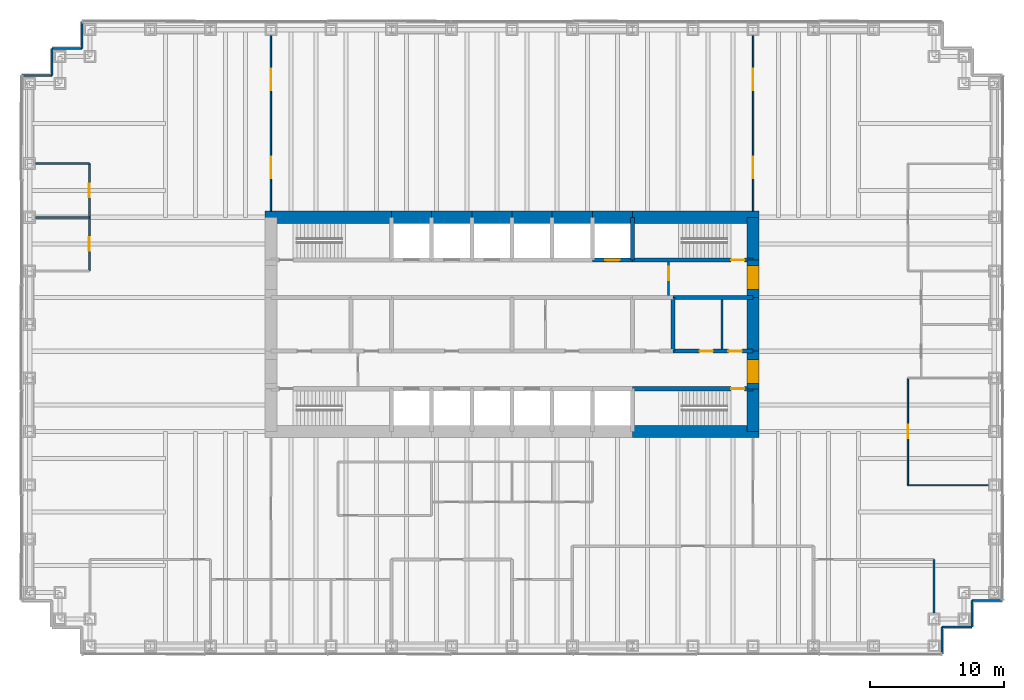
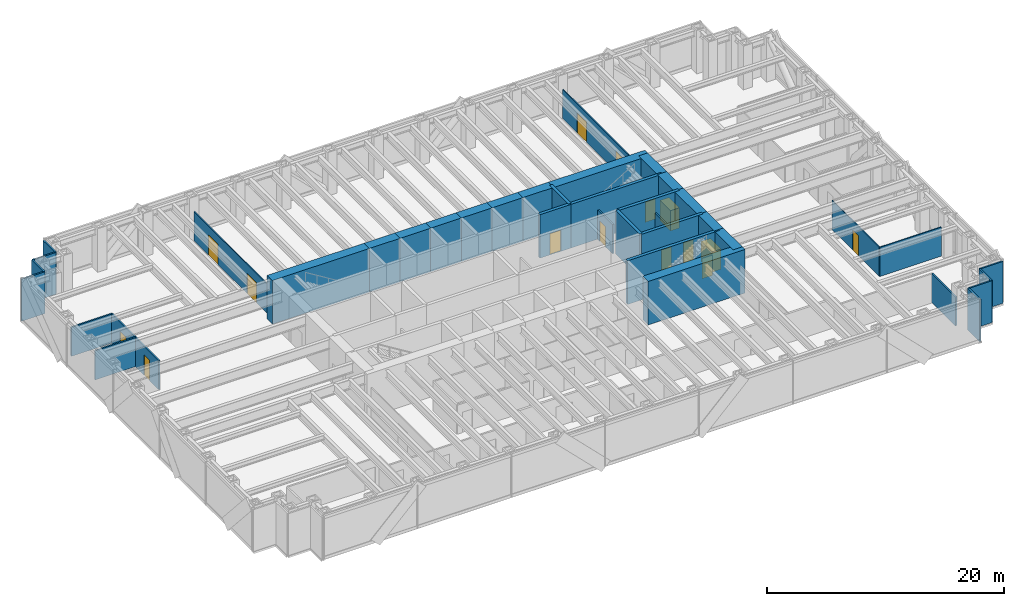
# One storey, part 11 of 13: 39 walls, 15 doors, 15 openings.
"""IFC4 building model written with IfcOpenShell, lengths in metres."""

import ifcopenshell
import ifcopenshell.guid

model = None  # the IFC model being written
_history = None  # IfcOwnerHistory: only IFC2X3 demands one
_inside = {}  # id of a spatial element -> (the spatial element, [elements in it])
_under = {}  # id of a project, library or spatial element -> (it, [spatial elements below it])
_declared = {}  # id of a project -> (the project, [libraries it declares])
_typed = {}  # id of a type object -> (the type object, [elements of that type])
_made_of = {}  # id of a material, layer set ... -> (it, [elements and type objects made of it])


def new_model(schema):
    """Start an empty IFC model of exactly this schema.

    Asked for "IFC4X3", IfcOpenShell would pick the latest addendum, in which some entities
    have other attributes; the version numbers below select the first issue.
    IFC2X3 requires an IfcOwnerHistory on every rooted entity: one is made here for all.
    """
    global model, _history
    if schema == "IFC4X3":
        model = ifcopenshell.file(schema_version=(4, 3, 0, 0))
    else:
        model = ifcopenshell.file(schema=schema)
    _inside.clear()
    _under.clear()
    _declared.clear()
    _typed.clear()
    _made_of.clear()
    _history = None
    if model.schema == "IFC2X3":
        org = make("IfcOrganization", Name="unknown")
        user = make(
            "IfcPersonAndOrganization",
            ThePerson=make("IfcPerson", FamilyName="unknown"),
            TheOrganization=org,
        )
        app = make(
            "IfcApplication",
            ApplicationDeveloper=org,
            Version="unknown",
            ApplicationFullName="unknown",
            ApplicationIdentifier="unknown",
        )
        _history = make(
            "IfcOwnerHistory",
            OwningUser=user,
            OwningApplication=app,
            ChangeAction="ADDED",
            CreationDate=0,
        )
    return model


def make(cls, **values):
    """One entity of the class cls with the attributes given. An attribute that is None is left unset."""
    return model.create_entity(
        cls, **{name: value for name, value in values.items() if value is not None}
    )


def rooted(cls, **values):
    """An entity with a GlobalId (a new one), such as an element, a storey or a relation."""
    return make(cls, GlobalId=ifcopenshell.guid.new(), OwnerHistory=_history, **values)


def si_unit(unit_type, name, prefix=None):
    """IfcSIUnit, for example si_unit("LENGTHUNIT", "METRE", prefix="MILLI")."""
    return make("IfcSIUnit", UnitType=unit_type, Prefix=prefix, Name=name)


def assignment(units):
    """IfcUnitAssignment: the units of a project."""
    return None if units is None else make("IfcUnitAssignment", Units=units)


def point(xyz):
    """IfcCartesianPoint."""
    return None if xyz is None else make("IfcCartesianPoint", Coordinates=xyz)


def direction(xyz):
    """IfcDirection."""
    return None if xyz is None else make("IfcDirection", DirectionRatios=xyz)


def frame(location, z_axis=None, x_axis=None):
    """IfcAxis2Placement3D, a coordinate frame: its origin and axes. An axis left out is left unset."""
    return make(
        "IfcAxis2Placement3D",
        Location=point(location),
        Axis=direction(z_axis),
        RefDirection=direction(x_axis),
    )


def frame_2d(location, x_axis=None):
    """IfcAxis2Placement2D, a coordinate frame in the plane: its origin and x axis."""
    return make(
        "IfcAxis2Placement2D", Location=point(location), RefDirection=direction(x_axis)
    )


def origin():
    """The frame at (0, 0, 0) with its axes left unset."""
    return frame((0.0, 0.0, 0.0))


def place(relative_to, where):
    """IfcLocalPlacement: puts the frame where relative to a parent placement (None: the world)."""
    return make(
        "IfcLocalPlacement", PlacementRelTo=relative_to, RelativePlacement=where
    )


def context(
    kind, dimensions, precision=None, world=None, true_north=None, identifier=None
):
    """IfcGeometricRepresentationContext, for example the 3D "Model" context."""
    return make(
        "IfcGeometricRepresentationContext",
        ContextIdentifier=identifier,
        ContextType=kind,
        CoordinateSpaceDimension=dimensions,
        Precision=precision,
        WorldCoordinateSystem=world,
        TrueNorth=true_north,
    )


def subcontext(parent, identifier, kind, view, scale=None):
    """IfcGeometricRepresentationSubContext, for example "Body" below "Model"."""
    return make(
        "IfcGeometricRepresentationSubContext",
        ContextIdentifier=identifier,
        ContextType=kind,
        ParentContext=parent,
        TargetScale=scale,
        TargetView=view,
    )


def project(units=None, contexts=None):
    """IfcProject with its units and contexts."""
    return rooted(
        "IfcProject",
        Name="project",
        RepresentationContexts=contexts,
        UnitsInContext=assignment(units),
    )


def spatial(cls, under=None, at=None, **own):
    """A site, building, storey or space (cls), placed at a placement, below another one or the project."""
    s = rooted(cls, ObjectPlacement=at, **own)
    if under is not None:
        _under.setdefault(under.id(), (under, []))[1].append(s)
    return s


def profile(cls, at=None, kind="AREA", **sizes):
    """A parametric profile (cls). Its sizes go by their IFC names, for example OverallWidth=200.0."""
    return make(cls, ProfileType=kind, Position=at, **sizes)


def rectangle(**sizes):
    """IfcRectangleProfileDef."""
    return profile("IfcRectangleProfileDef", **sizes)


def extrude(swept, where, along, depth):
    """IfcExtrudedAreaSolid: the profile swept, set in the frame where, extruded along a direction by depth."""
    return make(
        "IfcExtrudedAreaSolid",
        SweptArea=swept,
        Position=where,
        ExtrudedDirection=direction(along),
        Depth=depth,
    )


def shape(context_of_items, identifier, shape_type, items):
    """IfcShapeRepresentation: the items that make up one representation, for example the "Body"."""
    return make(
        "IfcShapeRepresentation",
        ContextOfItems=context_of_items,
        RepresentationIdentifier=identifier,
        RepresentationType=shape_type,
        Items=items,
    )


def material(Name=None, Category=None):
    """IfcMaterial."""
    return make("IfcMaterial", Name=Name, Category=Category)


def layer(
    of_material, thickness, ventilated=None, Name=None, Category=None, Priority=None
):
    """IfcMaterialLayer: one layer of a wall or slab, of a material (None: an air gap)."""
    return make(
        "IfcMaterialLayer",
        Material=of_material,
        LayerThickness=thickness,
        IsVentilated=ventilated,
        Name=Name,
        Category=Category,
        Priority=Priority,
    )


def layer_set(layers, Name=None):
    """IfcMaterialLayerSet."""
    return make("IfcMaterialLayerSet", MaterialLayers=layers, LayerSetName=Name)


def made_of(thing, what):
    """Note that an element or type object is made of a material, layer set ...; save() writes the relation."""
    if what is not None:
        _made_of.setdefault(what.id(), (what, []))[1].append(thing)
    return thing


def type_object(cls, material=None, **own):
    """A type object (cls), such as IfcWallType, which elements share."""
    return made_of(rooted(cls, **own), material)


def element(
    cls,
    number,
    at=None,
    inside=None,
    cuts=None,
    type_object=None,
    material=None,
    context=None,
    identifier="Body",
    shape_type=None,
    held_by="IfcProductDefinitionShape",
    body=None,
    shapes=None,
    **own,
):
    """One element of the class cls, such as IfcWall. Its Tag is "e" and its number.

    at: its placement. inside: the storey or other place that contains it. cuts: it is an
    opening in that element (IfcRelVoidsElement). A single representation is given by context,
    identifier, shape_type and body (its items); several are given by shapes. held_by: the class
    of the entity that holds the representations. save() writes the other relations.
    """
    e = rooted(cls, Tag="e%d" % number, ObjectPlacement=at, **own)
    if body is not None:
        shapes = [shape(context, identifier, shape_type, body)]
    if shapes is not None:
        e.Representation = make(held_by, Representations=shapes)
    if inside is not None:
        _inside.setdefault(inside.id(), (inside, []))[1].append(e)
    if cuts is not None:
        rooted(
            "IfcRelVoidsElement", RelatingBuildingElement=cuts, RelatedOpeningElement=e
        )
    if type_object is not None:
        _typed.setdefault(type_object.id(), (type_object, []))[1].append(e)
    return made_of(e, material)


def fill(opening, filler):
    """IfcRelFillsElement: the door or window that sits in an opening."""
    return rooted(
        "IfcRelFillsElement",
        RelatingOpeningElement=opening,
        RelatedBuildingElement=filler,
    )


def aggregate(whole, parts):
    """IfcRelAggregates: a whole, such as a stair, and the parts it consists of."""
    return rooted("IfcRelAggregates", RelatingObject=whole, RelatedObjects=parts)


def save(model, path):
    """Write the relations noted so far, then the file.

    IfcRelAggregates (storeys below a building ...), IfcRelContainedInSpatialStructure (elements
    in a storey), IfcRelDefinesByType, IfcRelAssociatesMaterial and IfcRelDeclares: one each for
    every whole, place, type object, material and project.
    """
    for whole, parts in _under.values():
        aggregate(whole, parts)
    for where, things in _inside.values():
        rooted(
            "IfcRelContainedInSpatialStructure",
            RelatedElements=things,
            RelatingStructure=where,
        )
    for kind, things in _typed.values():
        rooted("IfcRelDefinesByType", RelatedObjects=things, RelatingType=kind)
    for what, things in _made_of.values():
        rooted("IfcRelAssociatesMaterial", RelatedObjects=things, RelatingMaterial=what)
    for by, libraries in _declared.values():
        rooted("IfcRelDeclares", RelatingContext=by, RelatedDefinitions=libraries)
    model.write(path)


model = new_model("IFC4")

# Units and contexts
model_context = context("Model", 3, precision=1e-05, world=origin(), true_north=direction((0.0, 1.0)))
body_context = subcontext(model_context, "Body", "Model", "MODEL_VIEW")
ifc_project = project(units=[si_unit("LENGTHUNIT", "METRE"), si_unit("AREAUNIT", "SQUARE_METRE"), si_unit("VOLUMEUNIT", "CUBIC_METRE"), si_unit("PLANEANGLEUNIT", "RADIAN"), si_unit("MASSUNIT", "GRAM", prefix="KILO")], contexts=[model_context])

# Site, building, storey
site_placement = place(None, origin())
site = spatial("IfcSite", under=ifc_project, at=site_placement, CompositionType="ELEMENT")
building_placement = place(site_placement, origin())
building = spatial("IfcBuilding", under=site, at=building_placement, Name="Rheinbord Bourse Tower", CompositionType="ELEMENT")
storey_placement = place(building_placement, frame((0.0, 0.0, 36.5)))
storey = spatial("IfcBuildingStorey", under=building, at=storey_placement, Name="L07", CompositionType="ELEMENT", Elevation=36.5)

# Wall, opening, door
ifc_material_1 = material(Name="Concrete C50/60", Category="concrete")
ifc_layer_1 = layer(ifc_material_1, 0.300048828125)
ifc_layer_set_1 = layer_set([ifc_layer_1], Name="CORE INNER WALL 300")
wall_type_1 = type_object("IfcWallType", Name="CORE INNER WALL 300", PredefinedType="SOLIDWALL", material=ifc_layer_set_1)
wall_1_placement = place(storey_placement, frame((45.0, 19.199951171875, 0.0), z_axis=(0.0, 0.0, 1.0), x_axis=(1.0, 0.0, 0.0)))
wall_1 = element("IfcWall", 1, at=wall_1_placement, inside=storey, type_object=wall_type_1, Name="Core wall A8 L07", PredefinedType="SOLIDWALL", context=body_context, shape_type="SweptSolid", body=[
    extrude(rectangle(XDim=9.0, YDim=0.300048828125, at=frame_2d((4.5, 0.0))), origin(), (0.0, 0.0, 1.0), 4.5),
])
opening_1_placement = place(wall_1_placement, frame((7.35009765625, 0.0, 0.0)))
opening_1 = element("IfcOpeningElement", 2, at=opening_1_placement, cuts=wall_1, Name="Opening 0730", PredefinedType="OPENING", context=body_context, shape_type="SweptSolid", body=[
    extrude(rectangle(XDim=1.0, YDim=2.10009765625, at=frame_2d((0.5, 1.050048828125))), frame((0.0, 0.159912109375, 0.0), z_axis=(0.0, -1.0, 0.0), x_axis=(1.0, 0.0, 0.0)), (0.0, 0.0, 1.0), 0.320068359375),
])
ifc_material_2 = material(Name="Steel door", Category="steel")
door_type_1 = type_object("IfcDoorType", Name="DOOR 1000 EI30", OperationType="SINGLE_SWING_LEFT", PredefinedType="DOOR", material=ifc_material_2)
door_1_placement = place(opening_1_placement, origin())
door_1 = element("IfcDoor", 3, at=door_1_placement, inside=storey, type_object=door_type_1, Name="Stair door ST3 L07", OperationType="SINGLE_SWING_RIGHT", OverallHeight=2.10009765625, OverallWidth=1.0, PredefinedType="DOOR", context=body_context, shape_type="SweptSolid", body=[
    extrude(rectangle(XDim=1.0, YDim=2.10009765625, at=frame_2d((0.5, 1.050048828125))), frame((0.0, 0.02490234375, 0.0), z_axis=(0.0, -1.0, 0.0), x_axis=(1.0, 0.0, 0.0)), (0.0, 0.0, 1.0), 0.050048828125),
])
fill(opening_1, door_1)

wall_2_placement = place(storey_placement, frame((42.0, 28.800048828125, 0.0), z_axis=(0.0, 0.0, 1.0), x_axis=(1.0, 0.0, 0.0)))
wall_2 = element("IfcWall", 4, at=wall_2_placement, inside=storey, type_object=wall_type_1, Name="Core wall B7 L07", PredefinedType="SOLIDWALL", context=body_context, shape_type="SweptSolid", body=[
    extrude(rectangle(XDim=3.0, YDim=0.300048828125, at=frame_2d((1.5, 0.0))), origin(), (0.0, 0.0, 1.0), 4.5),
])
opening_2_placement = place(wall_2_placement, frame((0.949951171875, 0.0, 0.0)))
opening_2 = element("IfcOpeningElement", 5, at=opening_2_placement, cuts=wall_2, Name="Opening FL2", PredefinedType="OPENING", context=body_context, shape_type="SweptSolid", body=[
    extrude(rectangle(XDim=1.10009765625, YDim=2.199951171875, at=frame_2d((0.550048828125, 1.10009765625))), frame((0.0, 0.159912109375, 0.0), z_axis=(0.0, -1.0, 0.0), x_axis=(1.0, 0.0, 0.0)), (0.0, 0.0, 1.0), 0.320068359375),
])
ifc_material_3 = material(Name="Steel landing door", Category="steel")
door_type_2 = type_object("IfcDoorType", Name="LIFT LANDING DOOR 1100", OperationType="DOUBLE_DOOR_SLIDING", PredefinedType="USERDEFINED", material=ifc_material_3)
door_2_placement = place(opening_2_placement, origin())
door_2 = element("IfcDoor", 6, at=door_2_placement, inside=storey, type_object=door_type_2, Name="Lift landing door FL2 L07", ObjectType="LIFT LANDING DOOR", OperationType="DOUBLE_DOOR_SLIDING", OverallHeight=2.199951171875, OverallWidth=1.10009765625, PredefinedType="USERDEFINED", context=body_context, shape_type="SweptSolid", body=[
    extrude(rectangle(XDim=1.10009765625, YDim=2.199951171875, at=frame_2d((0.550048828125, 1.10009765625))), frame((0.0, 0.02490234375, 0.0), z_axis=(0.0, -1.0, 0.0), x_axis=(1.0, 0.0, 0.0)), (0.0, 0.0, 1.0), 0.050048828125),
])
fill(opening_2, door_2)

wall_3_placement = place(storey_placement, frame((45.0, 28.800048828125, 0.0), z_axis=(0.0, 0.0, 1.0), x_axis=(1.0, 0.0, 0.0)))
wall_3 = element("IfcWall", 7, at=wall_3_placement, inside=storey, type_object=wall_type_1, Name="Core wall B8 L07", PredefinedType="SOLIDWALL", context=body_context, shape_type="SweptSolid", body=[
    extrude(rectangle(XDim=9.0, YDim=0.300048828125, at=frame_2d((4.5, 0.0))), origin(), (0.0, 0.0, 1.0), 4.5),
])
opening_3_placement = place(wall_3_placement, frame((7.35009765625, 0.0, 0.0)))
opening_3 = element("IfcOpeningElement", 8, at=opening_3_placement, cuts=wall_3, Name="Opening 0740", PredefinedType="OPENING", context=body_context, shape_type="SweptSolid", body=[
    extrude(rectangle(XDim=1.0, YDim=2.10009765625, at=frame_2d((0.5, 1.050048828125))), frame((0.0, 0.159912109375, 0.0), z_axis=(0.0, -1.0, 0.0), x_axis=(1.0, 0.0, 0.0)), (0.0, 0.0, 1.0), 0.320068359375),
])
door_3_placement = place(opening_3_placement, origin())
door_3 = element("IfcDoor", 9, at=door_3_placement, inside=storey, type_object=door_type_1, Name="Stair door ST4 L07", OperationType="SINGLE_SWING_RIGHT", OverallHeight=2.10009765625, OverallWidth=1.0, PredefinedType="DOOR", context=body_context, shape_type="SweptSolid", body=[
    extrude(rectangle(XDim=1.0, YDim=2.10009765625, at=frame_2d((0.5, 1.050048828125))), frame((0.0, 0.02490234375, 0.0), z_axis=(0.0, -1.0, 0.0), x_axis=(1.0, 0.0, 0.0)), (0.0, 0.0, 1.0), 0.050048828125),
])
fill(opening_3, door_3)

# Wall, openings, doors
wall_4_placement = place(storey_placement, frame((48.0, 22.0, 0.0), z_axis=(0.0, 0.0, 1.0), x_axis=(1.0, 0.0, 0.0)))
wall_4 = element("IfcWall", 10, at=wall_4_placement, inside=storey, type_object=wall_type_1, Name="Core wall C6 L07", PredefinedType="SOLIDWALL", context=body_context, shape_type="SweptSolid", body=[
    extrude(rectangle(XDim=6.0, YDim=0.300048828125, at=frame_2d((3.0, 0.0))), origin(), (0.0, 0.0, 1.0), 4.5),
])
opening_4_placement = place(wall_4_placement, frame((2.0, 0.0, 0.0)))
opening_4 = element("IfcOpeningElement", 11, at=opening_4_placement, cuts=wall_4, Name="Opening 07R6", PredefinedType="OPENING", context=body_context, shape_type="SweptSolid", body=[
    extrude(rectangle(XDim=1.0, YDim=2.10009765625, at=frame_2d((0.5, 1.050048828125))), frame((0.0, 0.159912109375, 0.0), z_axis=(0.0, -1.0, 0.0), x_axis=(1.0, 0.0, 0.0)), (0.0, 0.0, 1.0), 0.320068359375),
])
opening_5_placement = place(wall_4_placement, frame((4.14990234375, 0.0, 0.0)))
opening_5 = element("IfcOpeningElement", 12, at=opening_5_placement, cuts=wall_4, Name="Opening 07R10", PredefinedType="OPENING", context=body_context, shape_type="SweptSolid", body=[
    extrude(rectangle(XDim=1.0, YDim=2.10009765625, at=frame_2d((0.5, 1.050048828125))), frame((0.0, 0.159912109375, 0.0), z_axis=(0.0, -1.0, 0.0), x_axis=(1.0, 0.0, 0.0)), (0.0, 0.0, 1.0), 0.320068359375),
])
door_4_placement = place(opening_5_placement, origin())
door_4 = element("IfcDoor", 13, at=door_4_placement, inside=storey, type_object=door_type_1, Name="Cleaner's store door L07", OperationType="SINGLE_SWING_RIGHT", OverallHeight=2.10009765625, OverallWidth=1.0, PredefinedType="DOOR", context=body_context, shape_type="SweptSolid", body=[
    extrude(rectangle(XDim=1.0, YDim=2.10009765625, at=frame_2d((0.5, 1.050048828125))), frame((0.0, 0.02490234375, 0.0), z_axis=(0.0, -1.0, 0.0), x_axis=(1.0, 0.0, 0.0)), (0.0, 0.0, 1.0), 0.050048828125),
])
fill(opening_5, door_4)
ifc_material_4 = material(Name="Timber door", Category="wood")
door_type_3 = type_object("IfcDoorType", Name="DOOR 1000 WC", OperationType="SINGLE_SWING_LEFT", PredefinedType="DOOR", material=ifc_material_4)
door_5_placement = place(opening_4_placement, origin())
door_5 = element("IfcDoor", 14, at=door_5_placement, inside=storey, type_object=door_type_3, Name="WC women door L07", OperationType="SINGLE_SWING_LEFT", OverallHeight=2.10009765625, OverallWidth=1.0, PredefinedType="DOOR", context=body_context, shape_type="SweptSolid", body=[
    extrude(rectangle(XDim=1.0, YDim=2.10009765625, at=frame_2d((0.5, 1.050048828125))), frame((0.0, 0.02490234375, 0.0), z_axis=(0.0, -1.0, 0.0), x_axis=(1.0, 0.0, 0.0)), (0.0, 0.0, 1.0), 0.050048828125),
])
fill(opening_4, door_5)

# Walls
wall_5_placement = place(storey_placement, frame((48.0, 26.0, 0.0), z_axis=(0.0, 0.0, 1.0), x_axis=(1.0, 0.0, 0.0)))
element("IfcWall", 15, at=wall_5_placement, inside=storey, type_object=wall_type_1, Name="Core wall D6 L07", PredefinedType="SOLIDWALL", context=body_context, shape_type="SweptSolid", body=[
    extrude(rectangle(XDim=6.0, YDim=0.300048828125, at=frame_2d((3.0, 0.0))), origin(), (0.0, 0.0, 1.0), 4.5),
])
wall_6_placement = place(storey_placement, frame((45.0, 28.800048828125, 0.0), z_axis=(0.0, 0.0, 1.0), x_axis=(0.0, 1.0, 0.0)))
element("IfcWall", 16, at=wall_6_placement, inside=storey, type_object=wall_type_1, Name="Core wall NX45 L07", PredefinedType="SOLIDWALL", context=body_context, shape_type="SweptSolid", body=[
    extrude(rectangle(XDim=3.199951171875, YDim=0.300048828125, at=frame_2d((1.60009765625, 0.0))), origin(), (0.0, 0.0, 1.0), 4.5),
])
wall_7_placement = place(storey_placement, frame((48.0, 22.0, 0.0), z_axis=(0.0, 0.0, 1.0), x_axis=(0.0, 1.0, 0.0)))
element("IfcWall", 17, at=wall_7_placement, inside=storey, type_object=wall_type_1, Name="Core wall MX48 L07", PredefinedType="SOLIDWALL", context=body_context, shape_type="SweptSolid", body=[
    extrude(rectangle(XDim=4.0, YDim=0.300048828125, at=frame_2d((2.0, 0.0))), origin(), (0.0, 0.0, 1.0), 4.5),
])
ifc_material_5 = material(Name="Gypsum board fire partition", Category="gypsum board")
ifc_layer_2 = layer(ifc_material_5, 0.14990234375)
ifc_layer_set_2 = layer_set([ifc_layer_2], Name="CORE PARTITION 150 EI30")
wall_type_2 = type_object("IfcWallType", Name="CORE PARTITION 150 EI30", PredefinedType="PARTITIONING", material=ifc_layer_set_2)
wall_8_placement = place(storey_placement, frame((51.675048828125, 22.14990234375, 0.0), z_axis=(0.0, 0.0, 1.0), x_axis=(0.0, 1.0, 0.0)))
element("IfcWall", 18, at=wall_8_placement, inside=storey, type_object=wall_type_2, Name="Core partition L07-3", PredefinedType="PARTITIONING", context=body_context, shape_type="SweptSolid", body=[
    extrude(rectangle(XDim=3.7001953125, YDim=0.14990234375, at=frame_2d((1.85009765625, 0.0))), origin(), (0.0, 0.0, 1.0), 3.0),
])

# Wall, opening, door
wall_9_placement = place(storey_placement, frame((47.699951171875, 26.14990234375, 0.0), z_axis=(0.0, 0.0, 1.0), x_axis=(0.0, 1.0, 0.0)))
wall_9 = element("IfcWall", 19, at=wall_9_placement, inside=storey, type_object=wall_type_2, Name="Core partition L07-5", PredefinedType="PARTITIONING", context=body_context, shape_type="SweptSolid", body=[
    extrude(rectangle(XDim=2.5, YDim=0.14990234375, at=frame_2d((1.25, 0.0))), origin(), (0.0, 0.0, 1.0), 3.0),
])
opening_6_placement = place(wall_9_placement, frame((1.14990234375, 0.0, 0.0)))
opening_6 = element("IfcOpeningElement", 20, at=opening_6_placement, cuts=wall_9, Name="Opening 07L6", PredefinedType="OPENING", context=body_context, shape_type="SweptSolid", body=[
    extrude(rectangle(XDim=1.0, YDim=2.10009765625, at=frame_2d((0.5, 1.050048828125))), frame((0.0, 0.0849609375, 0.0), z_axis=(0.0, -1.0, 0.0), x_axis=(1.0, 0.0, 0.0)), (0.0, 0.0, 1.0), 0.169921875),
])
door_6_placement = place(opening_6_placement, origin())
door_6 = element("IfcDoor", 21, at=door_6_placement, inside=storey, type_object=door_type_1, Name="Stair lobby door L07", OperationType="SINGLE_SWING_RIGHT", OverallHeight=2.10009765625, OverallWidth=1.0, PredefinedType="DOOR", context=body_context, shape_type="SweptSolid", body=[
    extrude(rectangle(XDim=1.0, YDim=2.10009765625, at=frame_2d((0.5, 1.050048828125))), frame((0.0, 0.02490234375, 0.0), z_axis=(0.0, -1.0, 0.0), x_axis=(1.0, 0.0, 0.0)), (0.0, 0.0, 1.0), 0.050048828125),
])
fill(opening_6, door_6)

# Walls
ifc_material_6 = material(Name="Concrete C50/60", Category="concrete")
ifc_layer_3 = layer(ifc_material_6, 0.89990234375)
ifc_layer_set_3 = layer_set([ifc_layer_3], Name="CORE WALL 900")
wall_type_3 = type_object("IfcWallType", Name="CORE WALL 900", PredefinedType="SHEAR", material=ifc_layer_set_3)
for number, where, z_axis, x_axis, name in (
    (22, (45.0, 16.0, 0.0), (0.0, 0.0, 1.0), (1.0, 0.0, 0.0), "Core wall S8 L07"),
    (23, (54.449951171875, 32.0, 0.0), (0.0, 0.0, 1.0), (-1.0, 0.0, 0.0), "Core wall N1 L07"),
):
    element("IfcWall", number, at=place(storey_placement, frame(where, z_axis=z_axis, x_axis=x_axis)), inside=storey, type_object=wall_type_3, Name=name, PredefinedType="SHEAR", context=body_context, shape_type="SweptSolid", body=[
        extrude(rectangle(XDim=9.449951171875, YDim=0.89990234375, at=frame_2d((4.72509765625, 0.0))), origin(), (0.0, 0.0, 1.0), 4.5),
    ])
for number, where, z_axis, x_axis, name in (
    (24, (45.0, 32.0, 0.0), (0.0, 0.0, 1.0), (-1.0, 0.0, 0.0), "Core wall N2 L07"),
    (25, (42.0, 32.0, 0.0), (0.0, 0.0, 1.0), (-1.0, 0.0, 0.0), "Core wall N3 L07"),
    (26, (39.0, 32.0, 0.0), (0.0, 0.0, 1.0), (-1.0, 0.0, 0.0), "Core wall N4 L07"),
    (27, (36.0, 32.0, 0.0), (0.0, 0.0, 1.0), (-1.0, 0.0, 0.0), "Core wall N5 L07"),
    (28, (33.0, 32.0, 0.0), (0.0, 0.0, 1.0), (-1.0, 0.0, 0.0), "Core wall N6 L07"),
    (29, (30.0, 32.0, 0.0), (0.0, 0.0, 1.0), (-1.0, 0.0, 0.0), "Core wall N7 L07"),
):
    element("IfcWall", number, at=place(storey_placement, frame(where, z_axis=z_axis, x_axis=x_axis)), inside=storey, type_object=wall_type_3, Name=name, PredefinedType="SHEAR", context=body_context, shape_type="SweptSolid", body=[
        extrude(rectangle(XDim=3.0, YDim=0.89990234375, at=frame_2d((1.5, 0.0))), origin(), (0.0, 0.0, 1.0), 4.5),
    ])
wall_10_placement = place(storey_placement, frame((27.0, 32.0, 0.0), z_axis=(0.0, 0.0, 1.0), x_axis=(-1.0, 0.0, 0.0)))
element("IfcWall", 30, at=wall_10_placement, inside=storey, type_object=wall_type_3, Name="Core wall N8 L07", PredefinedType="SHEAR", context=body_context, shape_type="SweptSolid", body=[
    extrude(rectangle(XDim=9.449951171875, YDim=0.89990234375, at=frame_2d((4.72509765625, 0.0))), origin(), (0.0, 0.0, 1.0), 4.5),
])
wall_11_placement = place(storey_placement, frame((54.0, 16.0, 0.0), z_axis=(0.0, 0.0, 1.0), x_axis=(0.0, 1.0, 0.0)))
element("IfcWall", 31, at=wall_11_placement, inside=storey, type_object=wall_type_3, Name="Core wall E1 L07", PredefinedType="SHEAR", context=body_context, shape_type="SweptSolid", body=[
    extrude(rectangle(XDim=3.199951171875, YDim=0.89990234375, at=frame_2d((1.60009765625, 0.0))), origin(), (0.0, 0.0, 1.0), 4.5),
])

# Wall, opening, door
wall_12_placement = place(storey_placement, frame((54.0, 19.199951171875, 0.0), z_axis=(0.0, 0.0, 1.0), x_axis=(0.0, 1.0, 0.0)))
wall_12 = element("IfcWall", 32, at=wall_12_placement, inside=storey, type_object=wall_type_3, Name="Core wall E2 L07", PredefinedType="SHEAR", context=body_context, shape_type="SweptSolid", body=[
    extrude(rectangle(XDim=2.800048828125, YDim=0.89990234375, at=frame_2d((1.39990234375, 0.0))), origin(), (0.0, 0.0, 1.0), 4.5),
])
opening_7_placement = place(wall_12_placement, frame((0.39990234375, 0.0, 0.0)))
opening_7 = element("IfcOpeningElement", 33, at=opening_7_placement, cuts=wall_12, Name="Opening 07L3", PredefinedType="OPENING", context=body_context, shape_type="SweptSolid", body=[
    extrude(rectangle(XDim=1.800048828125, YDim=2.10009765625, at=frame_2d((0.89990234375, 1.050048828125))), frame((0.0, 0.4599609375, 0.0), z_axis=(0.0, -1.0, 0.0), x_axis=(1.0, 0.0, 0.0)), (0.0, 0.0, 1.0), 0.919921875),
])
ifc_material_7 = material(Name="Steel door", Category="steel")
door_type_4 = type_object("IfcDoorType", Name="DOOR 1800 EI30 DOUBLE", OperationType="DOUBLE_DOOR_DOUBLE_SWING", PredefinedType="DOOR", material=ifc_material_7)
door_7_placement = place(opening_7_placement, origin())
door_7 = element("IfcDoor", 34, at=door_7_placement, inside=storey, type_object=door_type_4, Name="Lobby door 3 L07", OperationType="SINGLE_SWING_LEFT", OverallHeight=2.10009765625, OverallWidth=1.800048828125, PredefinedType="DOOR", context=body_context, shape_type="SweptSolid", body=[
    extrude(rectangle(XDim=1.800048828125, YDim=2.10009765625, at=frame_2d((0.89990234375, 1.050048828125))), frame((0.0, 0.44970703125, 0.0), z_axis=(0.0, -1.0, 0.0), x_axis=(1.0, 0.0, 0.0)), (0.0, 0.0, 1.0), 0.8994140625),
])
fill(opening_7, door_7)

# Wall
wall_13_placement = place(storey_placement, frame((54.0, 22.0, 0.0), z_axis=(0.0, 0.0, 1.0), x_axis=(0.0, 1.0, 0.0)))
element("IfcWall", 35, at=wall_13_placement, inside=storey, type_object=wall_type_3, Name="Core wall E3 L07", PredefinedType="SHEAR", context=body_context, shape_type="SweptSolid", body=[
    extrude(rectangle(XDim=4.0, YDim=0.89990234375, at=frame_2d((2.0, 0.0))), origin(), (0.0, 0.0, 1.0), 4.5),
])

# Wall, opening, door
wall_14_placement = place(storey_placement, frame((54.0, 26.0, 0.0), z_axis=(0.0, 0.0, 1.0), x_axis=(0.0, 1.0, 0.0)))
wall_14 = element("IfcWall", 36, at=wall_14_placement, inside=storey, type_object=wall_type_3, Name="Core wall E4 L07", PredefinedType="SHEAR", context=body_context, shape_type="SweptSolid", body=[
    extrude(rectangle(XDim=2.800048828125, YDim=0.89990234375, at=frame_2d((1.39990234375, 0.0))), origin(), (0.0, 0.0, 1.0), 4.5),
])
opening_8_placement = place(wall_14_placement, frame((0.60009765625, 0.0, 0.0)))
opening_8 = element("IfcOpeningElement", 37, at=opening_8_placement, cuts=wall_14, Name="Opening 07L4", PredefinedType="OPENING", context=body_context, shape_type="SweptSolid", body=[
    extrude(rectangle(XDim=1.800048828125, YDim=2.10009765625, at=frame_2d((0.89990234375, 1.050048828125))), frame((0.0, 0.4599609375, 0.0), z_axis=(0.0, -1.0, 0.0), x_axis=(1.0, 0.0, 0.0)), (0.0, 0.0, 1.0), 0.919921875),
])
door_8_placement = place(opening_8_placement, origin())
door_8 = element("IfcDoor", 38, at=door_8_placement, inside=storey, type_object=door_type_4, Name="Lobby door 4 L07", OperationType="SINGLE_SWING_LEFT", OverallHeight=2.10009765625, OverallWidth=1.800048828125, PredefinedType="DOOR", context=body_context, shape_type="SweptSolid", body=[
    extrude(rectangle(XDim=1.800048828125, YDim=2.10009765625, at=frame_2d((0.89990234375, 1.050048828125))), frame((0.0, 0.44970703125, 0.0), z_axis=(0.0, -1.0, 0.0), x_axis=(1.0, 0.0, 0.0)), (0.0, 0.0, 1.0), 0.8994140625),
])
fill(opening_8, door_8)

# Walls
wall_15_placement = place(storey_placement, frame((54.0, 28.800048828125, 0.0), z_axis=(0.0, 0.0, 1.0), x_axis=(0.0, 1.0, 0.0)))
element("IfcWall", 39, at=wall_15_placement, inside=storey, type_object=wall_type_3, Name="Core wall E5 L07", PredefinedType="SHEAR", context=body_context, shape_type="SweptSolid", body=[
    extrude(rectangle(XDim=3.199951171875, YDim=0.89990234375, at=frame_2d((1.60009765625, 0.0))), origin(), (0.0, 0.0, 1.0), 4.5),
])
ifc_material_8 = material(Name="Black metal rainscreen panel", Category="aluminium")
ifc_layer_4 = layer(ifc_material_8, 0.14990234375)
ifc_layer_set_4 = layer_set([ifc_layer_4], Name="CORNER PIER CLADDING 150")
wall_type_4 = type_object("IfcWallType", Name="CORNER PIER CLADDING 150", PredefinedType="ELEMENTEDWALL", material=ifc_layer_set_4)
wall_16_placement = place(storey_placement, frame((68.10009765625, -0.60009765625, 0.0), z_axis=(0.0, 0.0, 1.0), x_axis=(0.0, 1.0, 0.0)))
element("IfcWall", 40, at=wall_16_placement, inside=storey, type_object=wall_type_4, Name="Corner pier cladding L07 2", PredefinedType="ELEMENTEDWALL", context=body_context, shape_type="SweptSolid", body=[
    extrude(rectangle(XDim=2.0, YDim=0.14990234375, at=frame_2d((1.0, 0.0))), origin(), (0.0, 0.0, 1.0), 4.320068359375),
])
wall_17_placement = place(storey_placement, frame((68.10009765625, 1.39990234375, 0.0), z_axis=(0.0, 0.0, 1.0), x_axis=(1.0, 0.0, 0.0)))
element("IfcWall", 41, at=wall_17_placement, inside=storey, type_object=wall_type_4, Name="Corner pier cladding L07 3", PredefinedType="ELEMENTEDWALL", context=body_context, shape_type="SweptSolid", body=[
    extrude(rectangle(XDim=2.25, YDim=0.14990234375, at=frame_2d((1.125, 0.0))), origin(), (0.0, 0.0, 1.0), 4.320068359375),
])
wall_18_placement = place(storey_placement, frame((70.35009765625, 1.39990234375, 0.0), z_axis=(0.0, 0.0, 1.0), x_axis=(0.0, 1.0, 0.0)))
element("IfcWall", 42, at=wall_18_placement, inside=storey, type_object=wall_type_4, Name="Corner pier cladding L07 4", PredefinedType="ELEMENTEDWALL", context=body_context, shape_type="SweptSolid", body=[
    extrude(rectangle(XDim=2.0, YDim=0.14990234375, at=frame_2d((1.0, 0.0))), origin(), (0.0, 0.0, 1.0), 4.320068359375),
])
wall_19_placement = place(storey_placement, frame((70.35009765625, 3.39990234375, 0.0), z_axis=(0.0, 0.0, 1.0), x_axis=(1.0, 0.0, 0.0)))
element("IfcWall", 43, at=wall_19_placement, inside=storey, type_object=wall_type_4, Name="Corner pier cladding L07 5", PredefinedType="ELEMENTEDWALL", context=body_context, shape_type="SweptSolid", body=[
    extrude(rectangle(XDim=2.25, YDim=0.14990234375, at=frame_2d((1.125, 0.0))), origin(), (0.0, 0.0, 1.0), 4.320068359375),
])
wall_20_placement = place(storey_placement, frame((3.89990234375, 46.60009765625, 0.0), z_axis=(0.0, 0.0, 1.0), x_axis=(0.0, -1.0, 0.0)))
element("IfcWall", 44, at=wall_20_placement, inside=storey, type_object=wall_type_4, Name="Corner pier cladding L07 12", PredefinedType="ELEMENTEDWALL", context=body_context, shape_type="SweptSolid", body=[
    extrude(rectangle(XDim=2.0, YDim=0.14990234375, at=frame_2d((1.0, 0.0))), origin(), (0.0, 0.0, 1.0), 4.320068359375),
])
wall_21_placement = place(storey_placement, frame((3.89990234375, 44.60009765625, 0.0), z_axis=(0.0, 0.0, 1.0), x_axis=(-1.0, 0.0, 0.0)))
element("IfcWall", 45, at=wall_21_placement, inside=storey, type_object=wall_type_4, Name="Corner pier cladding L07 13", PredefinedType="ELEMENTEDWALL", context=body_context, shape_type="SweptSolid", body=[
    extrude(rectangle(XDim=2.25, YDim=0.14990234375, at=frame_2d((1.125, 0.0))), origin(), (0.0, 0.0, 1.0), 4.320068359375),
])
wall_22_placement = place(storey_placement, frame((1.64990234375, 44.60009765625, 0.0), z_axis=(0.0, 0.0, 1.0), x_axis=(0.0, -1.0, 0.0)))
element("IfcWall", 46, at=wall_22_placement, inside=storey, type_object=wall_type_4, Name="Corner pier cladding L07 14", PredefinedType="ELEMENTEDWALL", context=body_context, shape_type="SweptSolid", body=[
    extrude(rectangle(XDim=2.0, YDim=0.14990234375, at=frame_2d((1.0, 0.0))), origin(), (0.0, 0.0, 1.0), 4.320068359375),
])
wall_23_placement = place(storey_placement, frame((1.64990234375, 42.60009765625, 0.0), z_axis=(0.0, 0.0, 1.0), x_axis=(-1.0, 0.0, 0.0)))
element("IfcWall", 47, at=wall_23_placement, inside=storey, type_object=wall_type_4, Name="Corner pier cladding L07 15", PredefinedType="ELEMENTEDWALL", context=body_context, shape_type="SweptSolid", body=[
    extrude(rectangle(XDim=2.25, YDim=0.14990234375, at=frame_2d((1.125, 0.0))), origin(), (0.0, 0.0, 1.0), 4.320068359375),
])
ifc_material_9 = material(Name="Toughened laminated glass partition", Category="glass")
ifc_layer_5 = layer(ifc_material_9, 0.10009765625)
ifc_layer_set_5 = layer_set([ifc_layer_5], Name="GLAZED PARTITION 100")
wall_type_5 = type_object("IfcWallType", Name="GLAZED PARTITION 100", PredefinedType="PARTITIONING", material=ifc_layer_set_5)
wall_24_placement = place(storey_placement, frame((65.550048828125, 12.0, 0.0), z_axis=(0.0, 0.0, 1.0), x_axis=(1.0, 0.0, 0.0)))
element("IfcWall", 48, at=wall_24_placement, inside=storey, type_object=wall_type_5, Name="Partition L07-09", PredefinedType="PARTITIONING", context=body_context, shape_type="SweptSolid", body=[
    extrude(rectangle(XDim=6.0, YDim=0.10009765625, at=frame_2d((3.0, 0.0))), origin(), (0.0, 0.0, 1.0), 3.0),
])

# Wall, openings, doors
wall_25_placement = place(storey_placement, frame((18.0, 32.449951171875, 0.0), z_axis=(0.0, 0.0, 1.0), x_axis=(0.0, 1.0, 0.0)))
wall_25 = element("IfcWall", 49, at=wall_25_placement, inside=storey, type_object=wall_type_5, Name="Partition L07-25", PredefinedType="PARTITIONING", context=body_context, shape_type="SweptSolid", body=[
    extrude(rectangle(XDim=13.10009765625, YDim=0.10009765625, at=frame_2d((6.550048828125, 0.0))), origin(), (0.0, 0.0, 1.0), 3.0),
])
opening_9_placement = place(wall_25_placement, frame((2.47509765625, 0.0, 0.0)))
opening_9 = element("IfcOpeningElement", 50, at=opening_9_placement, cuts=wall_25, Name="Opening 07D21", PredefinedType="OPENING", context=body_context, shape_type="SweptSolid", body=[
    extrude(rectangle(XDim=1.60009765625, YDim=2.10009765625, at=frame_2d((0.800048828125, 1.050048828125))), frame((0.0, 0.06005859375, 0.0), z_axis=(0.0, -1.0, 0.0), x_axis=(1.0, 0.0, 0.0)), (0.0, 0.0, 1.0), 0.1201171875),
])
opening_10_placement = place(wall_25_placement, frame((9.02490234375, 0.0, 0.0)))
opening_10 = element("IfcOpeningElement", 51, at=opening_10_placement, cuts=wall_25, Name="Opening 07D22", PredefinedType="OPENING", context=body_context, shape_type="SweptSolid", body=[
    extrude(rectangle(XDim=1.60009765625, YDim=2.10009765625, at=frame_2d((0.800048828125, 1.050048828125))), frame((0.0, 0.06005859375, 0.0), z_axis=(0.0, -1.0, 0.0), x_axis=(1.0, 0.0, 0.0)), (0.0, 0.0, 1.0), 0.1201171875),
])
ifc_material_10 = material(Name="Timber door", Category="wood")
door_type_5 = type_object("IfcDoorType", Name="DOUBLE ROOM DOOR 1600", OperationType="DOUBLE_DOOR_DOUBLE_SWING", PredefinedType="DOOR", material=ifc_material_10)
door_9_placement = place(opening_9_placement, origin())
door_9 = element("IfcDoor", 52, at=door_9_placement, inside=storey, type_object=door_type_5, Name="Open area door L07", OperationType="SINGLE_SWING_LEFT", OverallHeight=2.10009765625, OverallWidth=1.60009765625, PredefinedType="DOOR", context=body_context, shape_type="SweptSolid", body=[
    extrude(rectangle(XDim=1.60009765625, YDim=2.10009765625, at=frame_2d((0.800048828125, 1.050048828125))), frame((0.0, 0.02490234375, 0.0), z_axis=(0.0, -1.0, 0.0), x_axis=(1.0, 0.0, 0.0)), (0.0, 0.0, 1.0), 0.050048828125),
])
fill(opening_9, door_9)
door_10_placement = place(opening_10_placement, origin())
door_10 = element("IfcDoor", 53, at=door_10_placement, inside=storey, type_object=door_type_5, Name="Open area door L07", OperationType="SINGLE_SWING_LEFT", OverallHeight=2.10009765625, OverallWidth=1.60009765625, PredefinedType="DOOR", context=body_context, shape_type="SweptSolid", body=[
    extrude(rectangle(XDim=1.60009765625, YDim=2.10009765625, at=frame_2d((0.800048828125, 1.050048828125))), frame((0.0, 0.02490234375, 0.0), z_axis=(0.0, -1.0, 0.0), x_axis=(1.0, 0.0, 0.0)), (0.0, 0.0, 1.0), 0.050048828125),
])
fill(opening_10, door_10)

wall_26_placement = place(storey_placement, frame((54.0, 32.449951171875, 0.0), z_axis=(0.0, 0.0, 1.0), x_axis=(0.0, 1.0, 0.0)))
wall_26 = element("IfcWall", 54, at=wall_26_placement, inside=storey, type_object=wall_type_5, Name="Partition L07-37", PredefinedType="PARTITIONING", context=body_context, shape_type="SweptSolid", body=[
    extrude(rectangle(XDim=13.10009765625, YDim=0.10009765625, at=frame_2d((6.550048828125, 0.0))), origin(), (0.0, 0.0, 1.0), 3.0),
])
opening_11_placement = place(wall_26_placement, frame((2.47509765625, 0.0, 0.0)))
opening_11 = element("IfcOpeningElement", 55, at=opening_11_placement, cuts=wall_26, Name="Opening 07D24", PredefinedType="OPENING", context=body_context, shape_type="SweptSolid", body=[
    extrude(rectangle(XDim=1.60009765625, YDim=2.10009765625, at=frame_2d((0.800048828125, 1.050048828125))), frame((0.0, 0.06005859375, 0.0), z_axis=(0.0, -1.0, 0.0), x_axis=(1.0, 0.0, 0.0)), (0.0, 0.0, 1.0), 0.1201171875),
])
opening_12_placement = place(wall_26_placement, frame((9.02490234375, 0.0, 0.0)))
opening_12 = element("IfcOpeningElement", 56, at=opening_12_placement, cuts=wall_26, Name="Opening 07D25", PredefinedType="OPENING", context=body_context, shape_type="SweptSolid", body=[
    extrude(rectangle(XDim=1.60009765625, YDim=2.10009765625, at=frame_2d((0.800048828125, 1.050048828125))), frame((0.0, 0.06005859375, 0.0), z_axis=(0.0, -1.0, 0.0), x_axis=(1.0, 0.0, 0.0)), (0.0, 0.0, 1.0), 0.1201171875),
])
door_11_placement = place(opening_11_placement, origin())
door_11 = element("IfcDoor", 57, at=door_11_placement, inside=storey, type_object=door_type_5, Name="Open area door L07", OperationType="SINGLE_SWING_LEFT", OverallHeight=2.10009765625, OverallWidth=1.60009765625, PredefinedType="DOOR", context=body_context, shape_type="SweptSolid", body=[
    extrude(rectangle(XDim=1.60009765625, YDim=2.10009765625, at=frame_2d((0.800048828125, 1.050048828125))), frame((0.0, 0.02490234375, 0.0), z_axis=(0.0, -1.0, 0.0), x_axis=(1.0, 0.0, 0.0)), (0.0, 0.0, 1.0), 0.050048828125),
])
fill(opening_11, door_11)
door_12_placement = place(opening_12_placement, origin())
door_12 = element("IfcDoor", 58, at=door_12_placement, inside=storey, type_object=door_type_5, Name="Open area door L07", OperationType="SINGLE_SWING_LEFT", OverallHeight=2.10009765625, OverallWidth=1.60009765625, PredefinedType="DOOR", context=body_context, shape_type="SweptSolid", body=[
    extrude(rectangle(XDim=1.60009765625, YDim=2.10009765625, at=frame_2d((0.800048828125, 1.050048828125))), frame((0.0, 0.02490234375, 0.0), z_axis=(0.0, -1.0, 0.0), x_axis=(1.0, 0.0, 0.0)), (0.0, 0.0, 1.0), 0.050048828125),
])
fill(opening_12, door_12)

# Wall, opening, door
wall_27_placement = place(storey_placement, frame((65.550048828125, 12.0, 0.0), z_axis=(0.0, 0.0, 1.0), x_axis=(0.0, 1.0, 0.0)))
wall_27 = element("IfcWall", 59, at=wall_27_placement, inside=storey, type_object=wall_type_5, Name="Partition L07-39", PredefinedType="PARTITIONING", context=body_context, shape_type="SweptSolid", body=[
    extrude(rectangle(XDim=8.0, YDim=0.10009765625, at=frame_2d((4.0, 0.0))), origin(), (0.0, 0.0, 1.0), 3.0),
])
opening_13_placement = place(wall_27_placement, frame((3.5, 0.0, 0.0)))
opening_13 = element("IfcOpeningElement", 60, at=opening_13_placement, cuts=wall_27, Name="Opening 07D14", PredefinedType="OPENING", context=body_context, shape_type="SweptSolid", body=[
    extrude(rectangle(XDim=1.0, YDim=2.10009765625, at=frame_2d((0.5, 1.050048828125))), frame((0.0, 0.06005859375, 0.0), z_axis=(0.0, -1.0, 0.0), x_axis=(1.0, 0.0, 0.0)), (0.0, 0.0, 1.0), 0.1201171875),
])
ifc_material_11 = material(Name="Timber door", Category="wood")
door_type_6 = type_object("IfcDoorType", Name="ROOM DOOR 1000", OperationType="SINGLE_SWING_LEFT", PredefinedType="DOOR", material=ifc_material_11)
door_13_placement = place(opening_13_placement, origin())
door_13 = element("IfcDoor", 61, at=door_13_placement, inside=storey, type_object=door_type_6, Name="Meeting room door L07", OperationType="SINGLE_SWING_LEFT", OverallHeight=2.10009765625, OverallWidth=1.0, PredefinedType="DOOR", context=body_context, shape_type="SweptSolid", body=[
    extrude(rectangle(XDim=1.0, YDim=2.10009765625, at=frame_2d((0.5, 1.050048828125))), frame((0.0, 0.02490234375, 0.0), z_axis=(0.0, -1.0, 0.0), x_axis=(1.0, 0.0, 0.0)), (0.0, 0.0, 1.0), 0.050048828125),
])
fill(opening_13, door_13)

# Walls
ifc_material_12 = material(Name="Gypsum board partition", Category="gypsum board")
ifc_layer_6 = layer(ifc_material_12, 0.14990234375)
ifc_layer_set_6 = layer_set([ifc_layer_6], Name="PARTITION 150")
wall_type_6 = type_object("IfcWallType", Name="PARTITION 150", PredefinedType="PARTITIONING", material=ifc_layer_set_6)
for number, where, z_axis, x_axis, name in (
    (62, (0.449951171875, 32.0, 0.0), (0.0, 0.0, 1.0), (1.0, 0.0, 0.0), "Partition L07-17"),
    (63, (0.449951171875, 36.0, 0.0), (0.0, 0.0, 1.0), (1.0, 0.0, 0.0), "Partition L07-18"),
):
    element("IfcWall", number, at=place(storey_placement, frame(where, z_axis=z_axis, x_axis=x_axis)), inside=storey, type_object=wall_type_6, Name=name, PredefinedType="PARTITIONING", context=body_context, shape_type="SweptSolid", body=[
        extrude(rectangle(XDim=4.0, YDim=0.14990234375, at=frame_2d((2.0, 0.0))), origin(), (0.0, 0.0, 1.0), 3.0),
    ])

# Wall, openings, doors
wall_28_placement = place(storey_placement, frame((4.449951171875, 28.0, 0.0), z_axis=(0.0, 0.0, 1.0), x_axis=(0.0, 1.0, 0.0)))
wall_28 = element("IfcWall", 64, at=wall_28_placement, inside=storey, type_object=wall_type_6, Name="Partition L07-20", PredefinedType="PARTITIONING", context=body_context, shape_type="SweptSolid", body=[
    extrude(rectangle(XDim=8.0, YDim=0.14990234375, at=frame_2d((4.0, 0.0))), origin(), (0.0, 0.0, 1.0), 3.0),
])
opening_14_placement = place(wall_28_placement, frame((1.5, 0.0, 0.0)))
opening_14 = element("IfcOpeningElement", 65, at=opening_14_placement, cuts=wall_28, Name="Opening 07D17", PredefinedType="OPENING", context=body_context, shape_type="SweptSolid", body=[
    extrude(rectangle(XDim=1.0, YDim=2.10009765625, at=frame_2d((0.5, 1.050048828125))), frame((0.0, 0.0849609375, 0.0), z_axis=(0.0, -1.0, 0.0), x_axis=(1.0, 0.0, 0.0)), (0.0, 0.0, 1.0), 0.169921875),
])
opening_15_placement = place(wall_28_placement, frame((5.5, 0.0, 0.0)))
opening_15 = element("IfcOpeningElement", 66, at=opening_15_placement, cuts=wall_28, Name="Opening 07D19", PredefinedType="OPENING", context=body_context, shape_type="SweptSolid", body=[
    extrude(rectangle(XDim=1.0, YDim=2.10009765625, at=frame_2d((0.5, 1.050048828125))), frame((0.0, 0.0849609375, 0.0), z_axis=(0.0, -1.0, 0.0), x_axis=(1.0, 0.0, 0.0)), (0.0, 0.0, 1.0), 0.169921875),
])
door_14_placement = place(opening_14_placement, origin())
door_14 = element("IfcDoor", 67, at=door_14_placement, inside=storey, type_object=door_type_6, Name="Print room door L07", OperationType="SINGLE_SWING_LEFT", OverallHeight=2.10009765625, OverallWidth=1.0, PredefinedType="DOOR", context=body_context, shape_type="SweptSolid", body=[
    extrude(rectangle(XDim=1.0, YDim=2.10009765625, at=frame_2d((0.5, 1.050048828125))), frame((0.0, 0.02490234375, 0.0), z_axis=(0.0, -1.0, 0.0), x_axis=(1.0, 0.0, 0.0)), (0.0, 0.0, 1.0), 0.050048828125),
])
fill(opening_14, door_14)
door_15_placement = place(opening_15_placement, origin())
door_15 = element("IfcDoor", 68, at=door_15_placement, inside=storey, type_object=door_type_6, Name="Store door L07", OperationType="SINGLE_SWING_RIGHT", OverallHeight=2.10009765625, OverallWidth=1.0, PredefinedType="DOOR", context=body_context, shape_type="SweptSolid", body=[
    extrude(rectangle(XDim=1.0, YDim=2.10009765625, at=frame_2d((0.5, 1.050048828125))), frame((0.0, 0.02490234375, 0.0), z_axis=(0.0, -1.0, 0.0), x_axis=(1.0, 0.0, 0.0)), (0.0, 0.0, 1.0), 0.050048828125),
])
fill(opening_15, door_15)

# Wall
wall_29_placement = place(storey_placement, frame((67.5, 2.449951171875, 0.0), z_axis=(0.0, 0.0, 1.0), x_axis=(0.0, 1.0, 0.0)))
element("IfcWall", 69, at=wall_29_placement, inside=storey, type_object=wall_type_6, Name="Partition L07-43", PredefinedType="PARTITIONING", context=body_context, shape_type="SweptSolid", body=[
    extrude(rectangle(XDim=4.0, YDim=0.14990234375, at=frame_2d((2.0, 0.0))), origin(), (0.0, 0.0, 1.0), 3.0),
])

save(model, "model.ifc")
